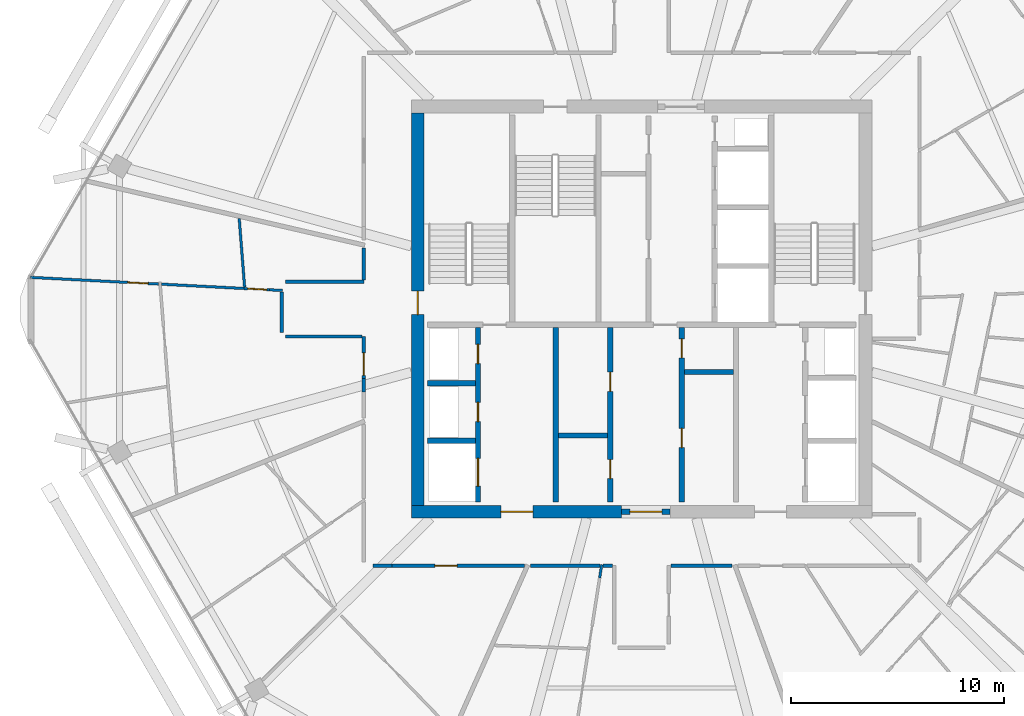
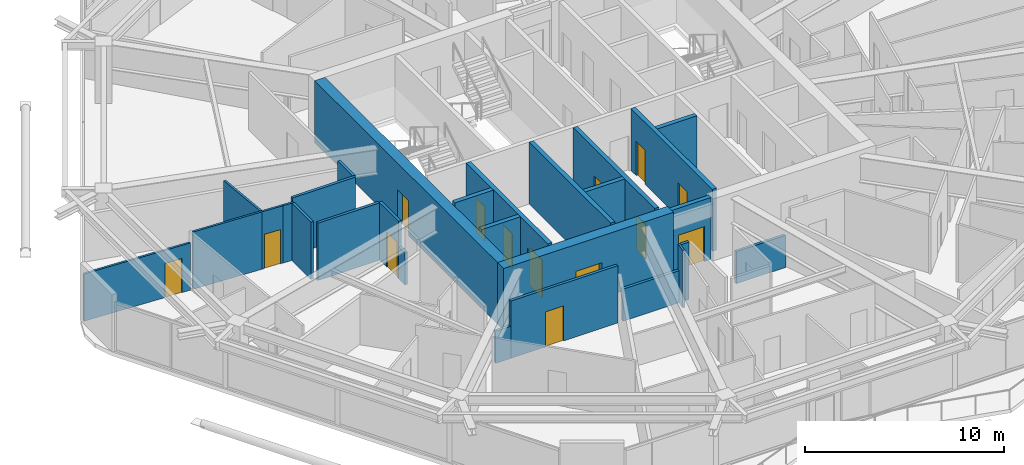
# One storey, part 20 of 26: 28 walls, 14 doors, 14 openings.
"""IFC4 building model written with IfcOpenShell, lengths in metres."""

from ifc_helpers import new_model, si_unit, direction, frame, frame_2d, origin, place, context, subcontext, project, spatial, rectangle, extrude, material, layer, layer_set, type_object, element, fill, save


model = new_model("IFC4")

# Units and contexts
model_context = context("Model", 3, precision=1e-05, world=origin(), true_north=direction((0.0, 1.0)))
body_context = subcontext(model_context, "Body", "Model", "MODEL_VIEW")
ifc_project = project(units=[si_unit("LENGTHUNIT", "METRE"), si_unit("AREAUNIT", "SQUARE_METRE"), si_unit("VOLUMEUNIT", "CUBIC_METRE"), si_unit("PLANEANGLEUNIT", "RADIAN"), si_unit("MASSUNIT", "GRAM", prefix="KILO")], contexts=[model_context])

# Site, building, storey
site_placement = place(None, origin())
site = spatial("IfcSite", under=ifc_project, at=site_placement, CompositionType="ELEMENT")
building_placement = place(site_placement, origin())
building = spatial("IfcBuilding", under=site, at=building_placement, Name="Zuhravey Tower", CompositionType="ELEMENT")
storey_placement = place(building_placement, frame((0.0, 0.0, 299.60009765625)))
storey = spatial("IfcBuildingStorey", under=building, at=storey_placement, Name="L76", CompositionType="ELEMENT", Elevation=299.60009765625)

# Wall, opening, door
ifc_material_1 = material(Name="Concrete C50/60", Category="concrete")
ifc_layer_1 = layer(ifc_material_1, 0.60009765625)
ifc_layer_set_1 = layer_set([ifc_layer_1], Name="Concrete C50/60")
wall_type_1 = type_object("IfcWallType", Name="Core Shear Wall 600", PredefinedType="SHEAR", material=ifc_layer_set_1)
wall_1_placement = place(storey_placement, frame((25.199951171875, 22.5, 0.0), z_axis=(0.0, 0.0, 1.0), x_axis=(1.0, 0.0, 0.0)))
wall_1 = element("IfcWall", 1, at=wall_1_placement, inside=storey, type_object=wall_type_1, Name="L76 South-West Core Shear Wall CW60", PredefinedType="SHEAR", context=body_context, shape_type="SweptSolid", body=[
    extrude(rectangle(XDim=9.85009765625, YDim=0.60009765625, at=frame_2d((4.925048828125, 0.0))), origin(), (0.0, 0.0, 1.0), 3.7998046875),
])
opening_1_placement = place(wall_1_placement, frame((4.199951171875, 0.0, 0.0)))
opening_1 = element("IfcOpeningElement", 2, at=opening_1_placement, cuts=wall_1, Name="Opening FFD1", PredefinedType="OPENING", context=body_context, shape_type="SweptSolid", body=[
    extrude(rectangle(XDim=1.5, YDim=2.14990234375, at=frame_2d((0.75, 1.074951171875))), frame((0.0, 0.31201171875, 0.0), z_axis=(0.0, -1.0, 0.0), x_axis=(1.0, 0.0, 0.0)), (0.0, 0.0, 1.0), 0.6240234375),
])
ifc_material_2 = material(Name="Galvanised fire-rated steel leaf", Category="steel")
door_type_1 = type_object("IfcDoorType", Name="Firefighting Lobby Double Door 1500x2150", OperationType="DOUBLE_DOOR_SINGLE_SWING", PredefinedType="DOOR", material=ifc_material_2)
door_1_placement = place(opening_1_placement, origin())
door_1 = element("IfcDoor", 3, at=door_1_placement, inside=storey, type_object=door_type_1, Name="L76 Firefighting Lobby West Door", OperationType="DOUBLE_DOOR_SINGLE_SWING", OverallHeight=2.14990234375, OverallWidth=1.5, PredefinedType="DOOR", context=body_context, shape_type="SweptSolid", body=[
    extrude(rectangle(XDim=1.5, YDim=2.14990234375, at=frame_2d((0.75, 1.074951171875))), frame((0.0, 0.02490234375, 0.0), z_axis=(0.0, -1.0, 0.0), x_axis=(1.0, 0.0, 0.0)), (0.0, 0.0, 1.0), 0.050048828125),
])
fill(opening_1, door_1)

wall_2_placement = place(storey_placement, frame((25.5, 22.800048828125, 0.0), z_axis=(0.0, 0.0, 1.0), x_axis=(0.0, 1.0, 0.0)))
wall_2 = element("IfcWall", 4, at=wall_2_placement, inside=storey, type_object=wall_type_1, Name="L76 West Core Shear Wall CW60", PredefinedType="SHEAR", context=body_context, shape_type="SweptSolid", body=[
    extrude(rectangle(XDim=18.39990234375, YDim=0.60009765625, at=frame_2d((9.199951171875, 0.0))), origin(), (0.0, 0.0, 1.0), 3.7998046875),
])
opening_2_placement = place(wall_2_placement, frame((8.949951171875, 0.0, 0.0)))
opening_2 = element("IfcOpeningElement", 5, at=opening_2_placement, cuts=wall_2, Name="Opening STD1", PredefinedType="OPENING", context=body_context, shape_type="SweptSolid", body=[
    extrude(rectangle(XDim=1.10009765625, YDim=2.14990234375, at=frame_2d((0.550048828125, 1.074951171875))), frame((0.0, 0.31201171875, 0.0), z_axis=(0.0, -1.0, 0.0), x_axis=(1.0, 0.0, 0.0)), (0.0, 0.0, 1.0), 0.6240234375),
])
door_type_2 = type_object("IfcDoorType", Name="Protected Stair Fire Door 1100x2150", OperationType="NOTDEFINED", PredefinedType="USERDEFINED", material=ifc_material_2)
door_2_placement = place(opening_2_placement, frame((1.10009765625, 0.0, 0.0), z_axis=(0.0, 0.0, 1.0), x_axis=(-1.0, 0.0, 0.0)))
door_2 = element("IfcDoor", 6, at=door_2_placement, inside=storey, type_object=door_type_2, Name="L76 Stair ST1 Door", ObjectType="EXITDOOR", OperationType="SINGLE_SWING_RIGHT", OverallHeight=2.14990234375, OverallWidth=1.10009765625, PredefinedType="USERDEFINED", context=body_context, shape_type="SweptSolid", body=[
    extrude(rectangle(XDim=1.10009765625, YDim=2.14990234375, at=frame_2d((0.550048828125, 1.074951171875))), frame((0.0, 0.02490234375, 0.0), z_axis=(0.0, -1.0, 0.0), x_axis=(1.0, 0.0, 0.0)), (0.0, 0.0, 1.0), 0.050048828125),
])
fill(opening_2, door_2)

ifc_material_3 = material(Name="Gypsum fire-rated stud partition")
ifc_layer_2 = layer(ifc_material_3, 0.159912109375)
ifc_layer_set_2 = layer_set([ifc_layer_2], Name="Gypsum fire-rated stud partition")
wall_type_2 = type_object("IfcWallType", Name="Corridor Fire Partition 160", PredefinedType="PARTITIONING", material=ifc_layer_set_2)
wall_3_placement = place(storey_placement, frame((24.284912109375, 19.969970703125, 0.0), z_axis=(0.0, 0.0, 1.0), x_axis=(1.0, 0.0, 0.0)))
wall_3 = element("IfcWall", 7, at=wall_3_placement, inside=storey, type_object=wall_type_2, Name="L76 IW16 Partition 026", PredefinedType="PARTITIONING", context=body_context, shape_type="SweptSolid", body=[
    extrude(rectangle(XDim=6.210693359375, YDim=0.159912109375, at=frame_2d((3.10546875, 0.0))), origin(), (0.0, 0.0, 1.0), 3.52001953125),
])
opening_3_placement = place(wall_3_placement, frame((2.012939453125, 0.0, 0.0)))
opening_3 = element("IfcOpeningElement", 8, at=opening_3_placement, cuts=wall_3, Name="Opening APD1", PredefinedType="OPENING", context=body_context, shape_type="SweptSolid", body=[
    extrude(rectangle(XDim=1.050048828125, YDim=2.14990234375, at=frame_2d((0.52490234375, 1.074951171875))), frame((0.0, 0.092041015625, 0.0), z_axis=(0.0, -1.0, 0.0), x_axis=(1.0, 0.0, 0.0)), (0.0, 0.0, 1.0), 0.183837890625),
])
ifc_material_4 = material(Name="Solid-core oak fire-rated leaf")
door_type_3 = type_object("IfcDoorType", Name="Apartment Entrance Fire Door 1050x2150", OperationType="NOTDEFINED", PredefinedType="DOOR", material=ifc_material_4)
door_3_placement = place(opening_3_placement, frame((1.050048828125, 0.0, 0.0), z_axis=(0.0, 0.0, 1.0), x_axis=(-1.0, 0.0, 0.0)))
door_3 = element("IfcDoor", 9, at=door_3_placement, inside=storey, type_object=door_type_3, Name="L76 Door 026.1", OperationType="SINGLE_SWING_RIGHT", OverallHeight=2.14990234375, OverallWidth=1.050048828125, PredefinedType="DOOR", context=body_context, shape_type="SweptSolid", body=[
    extrude(rectangle(XDim=1.050048828125, YDim=2.14990234375, at=frame_2d((0.52490234375, 1.074951171875))), frame((0.0, 0.02490234375, 0.0), z_axis=(0.0, -1.0, 0.0), x_axis=(1.0, 0.0, 0.0)), (0.0, 0.0, 1.0), 0.050048828125),
])
fill(opening_3, door_3)

wall_4_placement = place(storey_placement, frame((22.969970703125, 30.719970703125, 0.0), z_axis=(0.0, 0.0, 1.0), x_axis=(0.0, -1.0, 0.0)))
wall_4 = element("IfcWall", 10, at=wall_4_placement, inside=storey, type_object=wall_type_2, Name="L76 IW16 Partition 066", PredefinedType="PARTITIONING", context=body_context, shape_type="SweptSolid", body=[
    extrude(rectangle(XDim=1.96240234375, YDim=0.159912109375, at=frame_2d((0.981201171875, 0.0))), origin(), (0.0, 0.0, 1.0), 3.52001953125),
])
opening_4_placement = place(wall_4_placement, frame((0.7724609375, 0.0, 0.0)))
opening_4 = element("IfcOpeningElement", 11, at=opening_4_placement, cuts=wall_4, Name="Opening APD1", PredefinedType="OPENING", context=body_context, shape_type="SweptSolid", body=[
    extrude(rectangle(XDim=1.050048828125, YDim=2.14990234375, at=frame_2d((0.52490234375, 1.074951171875))), frame((0.0, 0.092041015625, 0.0), z_axis=(0.0, -1.0, 0.0), x_axis=(1.0, 0.0, 0.0)), (0.0, 0.0, 1.0), 0.183837890625),
])
door_4_placement = place(opening_4_placement, frame((1.050048828125, 0.0, 0.0), z_axis=(0.0, 0.0, 1.0), x_axis=(-1.0, 0.0, 0.0)))
door_4 = element("IfcDoor", 12, at=door_4_placement, inside=storey, type_object=door_type_3, Name="L76 Door 066.1", OperationType="SINGLE_SWING_RIGHT", OverallHeight=2.14990234375, OverallWidth=1.050048828125, PredefinedType="DOOR", context=body_context, shape_type="SweptSolid", body=[
    extrude(rectangle(XDim=1.050048828125, YDim=2.14990234375, at=frame_2d((0.52490234375, 1.074951171875))), frame((0.0, 0.02490234375, 0.0), z_axis=(0.0, -1.0, 0.0), x_axis=(1.0, 0.0, 0.0)), (0.0, 0.0, 1.0), 0.050048828125),
])
fill(opening_4, door_4)

# Walls
wall_5_placement = place(storey_placement, frame((23.400634765625, 19.969970703125, 0.0), z_axis=(0.0, 0.0, 1.0), x_axis=(1.0, 0.0, 0.0)))
element("IfcWall", 13, at=wall_5_placement, inside=storey, type_object=wall_type_2, Name="L76 IW16 Partition 075", PredefinedType="PARTITIONING", context=body_context, shape_type="SweptSolid", body=[
    extrude(rectangle(XDim=0.88427734375, YDim=0.159912109375, at=frame_2d((0.442138671875, 0.0))), origin(), (0.0, 0.0, 1.0), 1.969970703125),
])
wall_6_placement = place(storey_placement, frame((22.969970703125, 28.757568359375, 0.0), z_axis=(0.0, 0.0, 1.0), x_axis=(0.0, -1.0, 0.0)))
element("IfcWall", 14, at=wall_6_placement, inside=storey, type_object=wall_type_2, Name="L76 IW16 Partition 125", PredefinedType="PARTITIONING", context=body_context, shape_type="SweptSolid", body=[
    extrude(rectangle(XDim=0.64501953125, YDim=0.159912109375, at=frame_2d((0.322509765625, 0.0))), origin(), (0.0, 0.0, 1.0), 1.969970703125),
])
wall_7_placement = place(storey_placement, frame((37.367919921875, 19.969970703125, 0.0), z_axis=(0.0, 0.0, 1.0), x_axis=(1.0, 0.0, 0.0)))
element("IfcWall", 15, at=wall_7_placement, inside=storey, type_object=wall_type_2, Name="L76 IW16 Partition 130", PredefinedType="PARTITIONING", context=body_context, shape_type="SweptSolid", body=[
    extrude(rectangle(XDim=2.870849609375, YDim=0.159912109375, at=frame_2d((1.435546875, 0.0))), origin(), (0.0, 0.0, 1.0), 1.969970703125),
])
wall_8_placement = place(storey_placement, frame((34.189208984375, 19.969970703125, 0.0), z_axis=(0.0, 0.0, 1.0), x_axis=(1.0, 0.0, 0.0)))
element("IfcWall", 16, at=wall_8_placement, inside=storey, type_object=wall_type_2, Name="L76 IW16 Partition 132", PredefinedType="PARTITIONING", context=body_context, shape_type="SweptSolid", body=[
    extrude(rectangle(XDim=0.44287109375, YDim=0.159912109375, at=frame_2d((0.221435546875, 0.0))), origin(), (0.0, 0.0, 1.0), 3.52001953125),
])
wall_9_placement = place(storey_placement, frame((30.791015625, 19.969970703125, 0.0), z_axis=(0.0, 0.0, 1.0), x_axis=(1.0, 0.0, 0.0)))
element("IfcWall", 17, at=wall_9_placement, inside=storey, type_object=wall_type_2, Name="L76 IW16 Partition 133", PredefinedType="PARTITIONING", context=body_context, shape_type="SweptSolid", body=[
    extrude(rectangle(XDim=3.260498046875, YDim=0.159912109375, at=frame_2d((1.63037109375, 0.0))), origin(), (0.0, 0.0, 1.0), 1.969970703125),
])
wall_10_placement = place(storey_placement, frame((19.300048828125, 30.719970703125, 0.0), z_axis=(0.0, 0.0, 1.0), x_axis=(1.0, 0.0, 0.0)))
element("IfcWall", 18, at=wall_10_placement, inside=storey, type_object=wall_type_2, Name="L76 IW16 Partition 146", PredefinedType="PARTITIONING", context=body_context, shape_type="SweptSolid", body=[
    extrude(rectangle(XDim=3.58203125, YDim=0.159912109375, at=frame_2d((1.791015625, 0.0))), origin(), (0.0, 0.0, 1.0), 3.52001953125),
])
wall_11_placement = place(storey_placement, frame((19.1201171875, 32.810546875, 0.0), z_axis=(0.0, 0.0, 1.0), x_axis=(0.0, -1.0, 0.0)))
element("IfcWall", 19, at=wall_11_placement, inside=storey, type_object=wall_type_2, Name="L76 IW16 Partition 147", PredefinedType="PARTITIONING", context=body_context, shape_type="SweptSolid", body=[
    extrude(rectangle(XDim=1.91064453125, YDim=0.159912109375, at=frame_2d((0.955322265625, 0.0))), origin(), (0.0, 0.0, 1.0), 3.52001953125),
])
wall_12_placement = place(storey_placement, frame((22.969970703125, 33.280029296875, 0.0), z_axis=(0.0, 0.0, 1.0), x_axis=(-1.0, 0.0, 0.0)))
element("IfcWall", 20, at=wall_12_placement, inside=storey, type_object=wall_type_2, Name="L76 IW16 Partition 148", PredefinedType="PARTITIONING", context=body_context, shape_type="SweptSolid", body=[
    extrude(rectangle(XDim=3.669921875, YDim=0.159912109375, at=frame_2d((1.8349609375, 0.0))), origin(), (0.0, 0.0, 1.0), 3.52001953125),
])
wall_13_placement = place(storey_placement, frame((22.969970703125, 34.8681640625, 0.0), z_axis=(0.0, 0.0, 1.0), x_axis=(0.0, -1.0, 0.0)))
element("IfcWall", 21, at=wall_13_placement, inside=storey, type_object=wall_type_2, Name="L76 IW16 Partition 149", PredefinedType="PARTITIONING", context=body_context, shape_type="SweptSolid", body=[
    extrude(rectangle(XDim=1.500244140625, YDim=0.159912109375, at=frame_2d((0.75, 0.0))), origin(), (0.0, 0.0, 1.0), 3.52001953125),
])

# Wall, opening, door
ifc_layer_3 = layer(ifc_material_1, 0.25)
ifc_layer_set_3 = layer_set([ifc_layer_3], Name="Concrete C50/60")
wall_type_3 = type_object("IfcWallType", Name="Firefighting Shaft & Stair Wall 250", PredefinedType="SOLIDWALL", material=ifc_layer_set_3)
wall_14_placement = place(storey_placement, frame((35.06005859375, 22.5, 0.0), z_axis=(0.0, 0.0, 1.0), x_axis=(1.0, 0.0, 0.0)))
wall_14 = element("IfcWall", 22, at=wall_14_placement, inside=storey, type_object=wall_type_3, Name="L76 FW25 Shaft Wall 001", PredefinedType="SOLIDWALL", context=body_context, shape_type="SweptSolid", body=[
    extrude(rectangle(XDim=2.280029296875, YDim=0.25, at=frame_2d((1.14013671875, 0.0))), origin(), (0.0, 0.0, 1.0), 3.7998046875),
])
opening_5_placement = place(wall_14_placement, frame((0.389892578125, 0.0, 0.0)))
opening_5 = element("IfcOpeningElement", 23, at=opening_5_placement, cuts=wall_14, Name="Opening FFD1", PredefinedType="OPENING", context=body_context, shape_type="SweptSolid", body=[
    extrude(rectangle(XDim=1.5, YDim=2.14990234375, at=frame_2d((0.75, 1.074951171875))), frame((0.0, 0.136962890625, 0.0), z_axis=(0.0, -1.0, 0.0), x_axis=(1.0, 0.0, 0.0)), (0.0, 0.0, 1.0), 0.27392578125),
])
door_5_placement = place(opening_5_placement, frame((1.5, 0.0, 0.0), z_axis=(0.0, 0.0, 1.0), x_axis=(-1.0, 0.0, 0.0)))
door_5 = element("IfcDoor", 24, at=door_5_placement, inside=storey, type_object=door_type_1, Name="L76 South Lift Lobby Exit Door", OperationType="DOUBLE_DOOR_SINGLE_SWING", OverallHeight=2.14990234375, OverallWidth=1.5, PredefinedType="DOOR", context=body_context, shape_type="SweptSolid", body=[
    extrude(rectangle(XDim=1.5, YDim=2.14990234375, at=frame_2d((0.75, 1.074951171875))), frame((0.0, 0.02490234375, 0.0), z_axis=(0.0, -1.0, 0.0), x_axis=(1.0, 0.0, 0.0)), (0.0, 0.0, 1.0), 0.050048828125),
])
fill(opening_5, door_5)

# Walls
for number, where, z_axis, x_axis, name in (
    (25, (25.949951171875, 25.824951171875, 0.0), (0.0, 0.0, 1.0), (1.0, 0.0, 0.0), "L76 FW25 Shaft Wall 009"),
    (26, (25.949951171875, 28.52490234375, 0.0), (0.0, 0.0, 1.0), (1.0, 0.0, 0.0), "L76 FW25 Shaft Wall 010"),
):
    element("IfcWall", number, at=place(storey_placement, frame(where, z_axis=z_axis, x_axis=x_axis)), inside=storey, type_object=wall_type_3, Name=name, PredefinedType="SOLIDWALL", context=body_context, shape_type="SweptSolid", body=[
        extrude(rectangle(XDim=2.25, YDim=0.25, at=frame_2d((1.125, 0.0))), origin(), (0.0, 0.0, 1.0), 3.7998046875),
    ])

# Wall, openings, doors
wall_15_placement = place(storey_placement, frame((28.324951171875, 22.949951171875, 0.0), z_axis=(0.0, 0.0, 1.0), x_axis=(0.0, 1.0, 0.0)))
wall_15 = element("IfcWall", 27, at=wall_15_placement, inside=storey, type_object=wall_type_3, Name="L76 FW25 Shaft Wall 011", PredefinedType="SOLIDWALL", context=body_context, shape_type="SweptSolid", body=[
    extrude(rectangle(XDim=8.199951171875, YDim=0.25, at=frame_2d((4.10009765625, 0.0))), origin(), (0.0, 0.0, 1.0), 3.7998046875),
])
opening_6_placement = place(wall_15_placement, frame((0.75, 0.0, 0.0)))
opening_6 = element("IfcOpeningElement", 28, at=opening_6_placement, cuts=wall_15, Name="Opening LD2", PredefinedType="OPENING", context=body_context, shape_type="SweptSolid", body=[
    extrude(rectangle(XDim=1.300048828125, YDim=2.300048828125, at=frame_2d((0.64990234375, 1.14990234375))), frame((0.0, 0.136962890625, 0.0), z_axis=(0.0, -1.0, 0.0), x_axis=(1.0, 0.0, 0.0)), (0.0, 0.0, 1.0), 0.27392578125),
])
opening_7_placement = place(wall_15_placement, frame((3.780029296875, 0.0, 0.0)))
opening_7 = element("IfcOpeningElement", 29, at=opening_7_placement, cuts=wall_15, Name="Opening RSD1", PredefinedType="OPENING", context=body_context, shape_type="SweptSolid", body=[
    extrude(rectangle(XDim=0.89990234375, YDim=2.10009765625, at=frame_2d((0.449951171875, 1.050048828125))), frame((0.0, 0.136962890625, 0.0), z_axis=(0.0, -1.0, 0.0), x_axis=(1.0, 0.0, 0.0)), (0.0, 0.0, 1.0), 0.27392578125),
])
opening_8_placement = place(wall_15_placement, frame((6.5, 0.0, 0.0)))
opening_8 = element("IfcOpeningElement", 30, at=opening_8_placement, cuts=wall_15, Name="Opening RSD1", PredefinedType="OPENING", context=body_context, shape_type="SweptSolid", body=[
    extrude(rectangle(XDim=0.89990234375, YDim=2.10009765625, at=frame_2d((0.449951171875, 1.050048828125))), frame((0.0, 0.136962890625, 0.0), z_axis=(0.0, -1.0, 0.0), x_axis=(1.0, 0.0, 0.0)), (0.0, 0.0, 1.0), 0.27392578125),
])
ifc_material_5 = material(Name="Brushed stainless steel", Category="steel")
door_type_4 = type_object("IfcDoorType", Name="Freight & Stretcher Lift Sliding Door 1300x2300", OperationType="DOUBLE_DOOR_SLIDING", PredefinedType="DOOR", material=ifc_material_5)
door_6_placement = place(opening_6_placement, frame((1.300048828125, 0.0, 0.0), z_axis=(0.0, 0.0, 1.0), x_axis=(-1.0, 0.0, 0.0)))
door_6 = element("IfcDoor", 31, at=door_6_placement, inside=storey, type_object=door_type_4, Name="L76 Lift FF1 Landing Door", OperationType="DOUBLE_DOOR_SLIDING", OverallHeight=2.300048828125, OverallWidth=1.300048828125, PredefinedType="DOOR", context=body_context, shape_type="SweptSolid", body=[
    extrude(rectangle(XDim=1.300048828125, YDim=2.300048828125, at=frame_2d((0.64990234375, 1.14990234375))), frame((0.0, 0.02490234375, 0.0), z_axis=(0.0, -1.0, 0.0), x_axis=(1.0, 0.0, 0.0)), (0.0, 0.0, 1.0), 0.050048828125),
])
fill(opening_6, door_6)
ifc_material_6 = material(Name="Galvanised fire-rated steel access leaf", Category="steel")
door_type_5 = type_object("IfcDoorType", Name="Riser & Shaft Access Fire Door 900x2100", OperationType="NOTDEFINED", PredefinedType="DOOR", material=ifc_material_6)
door_7_placement = place(opening_7_placement, frame((0.89990234375, 0.0, 0.0), z_axis=(0.0, 0.0, 1.0), x_axis=(-1.0, 0.0, 0.0)))
door_7 = element("IfcDoor", 32, at=door_7_placement, inside=storey, type_object=door_type_5, Name="L76 Electrical Riser Door", OperationType="SINGLE_SWING_LEFT", OverallHeight=2.10009765625, OverallWidth=0.89990234375, PredefinedType="DOOR", context=body_context, shape_type="SweptSolid", body=[
    extrude(rectangle(XDim=0.89990234375, YDim=2.10009765625, at=frame_2d((0.449951171875, 1.050048828125))), frame((0.0, 0.02490234375, 0.0), z_axis=(0.0, -1.0, 0.0), x_axis=(1.0, 0.0, 0.0)), (0.0, 0.0, 1.0), 0.050048828125),
])
fill(opening_7, door_7)
door_8_placement = place(opening_8_placement, frame((0.89990234375, 0.0, 0.0), z_axis=(0.0, 0.0, 1.0), x_axis=(-1.0, 0.0, 0.0)))
door_8 = element("IfcDoor", 33, at=door_8_placement, inside=storey, type_object=door_type_5, Name="L76 Smoke Shaft Access Door", OperationType="SINGLE_SWING_RIGHT", OverallHeight=2.10009765625, OverallWidth=0.89990234375, PredefinedType="DOOR", context=body_context, shape_type="SweptSolid", body=[
    extrude(rectangle(XDim=0.89990234375, YDim=2.10009765625, at=frame_2d((0.449951171875, 1.050048828125))), frame((0.0, 0.02490234375, 0.0), z_axis=(0.0, -1.0, 0.0), x_axis=(1.0, 0.0, 0.0)), (0.0, 0.0, 1.0), 0.050048828125),
])
fill(opening_8, door_8)

# Walls
wall_16_placement = place(storey_placement, frame((31.97509765625, 22.949951171875, 0.0), z_axis=(0.0, 0.0, 1.0), x_axis=(0.0, 1.0, 0.0)))
element("IfcWall", 34, at=wall_16_placement, inside=storey, type_object=wall_type_3, Name="L76 FW25 Shaft Wall 012", PredefinedType="SOLIDWALL", context=body_context, shape_type="SweptSolid", body=[
    extrude(rectangle(XDim=8.199951171875, YDim=0.25, at=frame_2d((4.10009765625, 0.0))), origin(), (0.0, 0.0, 1.0), 3.7998046875),
])
wall_17_placement = place(storey_placement, frame((32.10009765625, 26.074951171875, 0.0), z_axis=(0.0, 0.0, 1.0), x_axis=(1.0, 0.0, 0.0)))
element("IfcWall", 35, at=wall_17_placement, inside=storey, type_object=wall_type_3, Name="L76 FW25 Shaft Wall 013", PredefinedType="SOLIDWALL", context=body_context, shape_type="SweptSolid", body=[
    extrude(rectangle(XDim=2.2998046875, YDim=0.25, at=frame_2d((1.14990234375, 0.0))), origin(), (0.0, 0.0, 1.0), 3.7998046875),
])

# Wall, openings, doors
wall_18_placement = place(storey_placement, frame((34.52490234375, 22.949951171875, 0.0), z_axis=(0.0, 0.0, 1.0), x_axis=(0.0, 1.0, 0.0)))
wall_18 = element("IfcWall", 36, at=wall_18_placement, inside=storey, type_object=wall_type_3, Name="L76 FW25 Shaft Wall 014", PredefinedType="SOLIDWALL", context=body_context, shape_type="SweptSolid", body=[
    extrude(rectangle(XDim=8.199951171875, YDim=0.25, at=frame_2d((4.10009765625, 0.0))), origin(), (0.0, 0.0, 1.0), 3.7998046875),
])
opening_9_placement = place(wall_18_placement, frame((1.10009765625, 0.0, 0.0)))
opening_9 = element("IfcOpeningElement", 37, at=opening_9_placement, cuts=wall_18, Name="Opening RSD1", PredefinedType="OPENING", context=body_context, shape_type="SweptSolid", body=[
    extrude(rectangle(XDim=0.89990234375, YDim=2.10009765625, at=frame_2d((0.449951171875, 1.050048828125))), frame((0.0, 0.136962890625, 0.0), z_axis=(0.0, -1.0, 0.0), x_axis=(1.0, 0.0, 0.0)), (0.0, 0.0, 1.0), 0.27392578125),
])
opening_10_placement = place(wall_18_placement, frame((5.199951171875, 0.0, 0.0)))
opening_10 = element("IfcOpeningElement", 38, at=opening_10_placement, cuts=wall_18, Name="Opening RSD1", PredefinedType="OPENING", context=body_context, shape_type="SweptSolid", body=[
    extrude(rectangle(XDim=0.89990234375, YDim=2.10009765625, at=frame_2d((0.449951171875, 1.050048828125))), frame((0.0, 0.136962890625, 0.0), z_axis=(0.0, -1.0, 0.0), x_axis=(1.0, 0.0, 0.0)), (0.0, 0.0, 1.0), 0.27392578125),
])
door_9_placement = place(opening_9_placement, origin())
door_9 = element("IfcDoor", 39, at=door_9_placement, inside=storey, type_object=door_type_5, Name="L76 Metering Room Door", OperationType="SINGLE_SWING_LEFT", OverallHeight=2.10009765625, OverallWidth=0.89990234375, PredefinedType="DOOR", context=body_context, shape_type="SweptSolid", body=[
    extrude(rectangle(XDim=0.89990234375, YDim=2.10009765625, at=frame_2d((0.449951171875, 1.050048828125))), frame((0.0, 0.02490234375, 0.0), z_axis=(0.0, -1.0, 0.0), x_axis=(1.0, 0.0, 0.0)), (0.0, 0.0, 1.0), 0.050048828125),
])
fill(opening_9, door_9)
door_10_placement = place(opening_10_placement, origin())
door_10 = element("IfcDoor", 40, at=door_10_placement, inside=storey, type_object=door_type_5, Name="L76 Housekeeping Supply Door", OperationType="SINGLE_SWING_RIGHT", OverallHeight=2.10009765625, OverallWidth=0.89990234375, PredefinedType="DOOR", context=body_context, shape_type="SweptSolid", body=[
    extrude(rectangle(XDim=0.89990234375, YDim=2.10009765625, at=frame_2d((0.449951171875, 1.050048828125))), frame((0.0, 0.02490234375, 0.0), z_axis=(0.0, -1.0, 0.0), x_axis=(1.0, 0.0, 0.0)), (0.0, 0.0, 1.0), 0.050048828125),
])
fill(opening_10, door_10)

# Wall
wall_19_placement = place(storey_placement, frame((38.0, 29.050048828125, 0.0), z_axis=(0.0, 0.0, 1.0), x_axis=(1.0, 0.0, 0.0)))
element("IfcWall", 41, at=wall_19_placement, inside=storey, type_object=wall_type_3, Name="L76 FW25 Shaft Wall 015", PredefinedType="SOLIDWALL", context=body_context, shape_type="SweptSolid", body=[
    extrude(rectangle(XDim=2.300048828125, YDim=0.25, at=frame_2d((1.14990234375, 0.0))), origin(), (0.0, 0.0, 1.0), 3.7998046875),
])

# Wall, openings, doors
wall_20_placement = place(storey_placement, frame((37.875, 22.949951171875, 0.0), z_axis=(0.0, 0.0, 1.0), x_axis=(0.0, 1.0, 0.0)))
wall_20 = element("IfcWall", 42, at=wall_20_placement, inside=storey, type_object=wall_type_3, Name="L76 FW25 Shaft Wall 016", PredefinedType="SOLIDWALL", context=body_context, shape_type="SweptSolid", body=[
    extrude(rectangle(XDim=8.199951171875, YDim=0.25, at=frame_2d((4.10009765625, 0.0))), origin(), (0.0, 0.0, 1.0), 3.7998046875),
])
opening_11_placement = place(wall_20_placement, frame((2.5625, 0.0, 0.0)))
opening_11 = element("IfcOpeningElement", 43, at=opening_11_placement, cuts=wall_20, Name="Opening RSD1", PredefinedType="OPENING", context=body_context, shape_type="SweptSolid", body=[
    extrude(rectangle(XDim=0.89990234375, YDim=2.10009765625, at=frame_2d((0.449951171875, 1.050048828125))), frame((0.0, 0.136962890625, 0.0), z_axis=(0.0, -1.0, 0.0), x_axis=(1.0, 0.0, 0.0)), (0.0, 0.0, 1.0), 0.27392578125),
])
opening_12_placement = place(wall_20_placement, frame((6.762451171875, 0.0, 0.0)))
opening_12 = element("IfcOpeningElement", 44, at=opening_12_placement, cuts=wall_20, Name="Opening RSD1", PredefinedType="OPENING", context=body_context, shape_type="SweptSolid", body=[
    extrude(rectangle(XDim=0.89990234375, YDim=2.10009765625, at=frame_2d((0.449951171875, 1.050048828125))), frame((0.0, 0.136962890625, 0.0), z_axis=(0.0, -1.0, 0.0), x_axis=(1.0, 0.0, 0.0)), (0.0, 0.0, 1.0), 0.27392578125),
])
door_11_placement = place(opening_11_placement, frame((0.89990234375, 0.0, 0.0), z_axis=(0.0, 0.0, 1.0), x_axis=(-1.0, 0.0, 0.0)))
door_11 = element("IfcDoor", 45, at=door_11_placement, inside=storey, type_object=door_type_5, Name="L76 Trunk Store Door", OperationType="SINGLE_SWING_LEFT", OverallHeight=2.10009765625, OverallWidth=0.89990234375, PredefinedType="DOOR", context=body_context, shape_type="SweptSolid", body=[
    extrude(rectangle(XDim=0.89990234375, YDim=2.10009765625, at=frame_2d((0.449951171875, 1.050048828125))), frame((0.0, 0.02490234375, 0.0), z_axis=(0.0, -1.0, 0.0), x_axis=(1.0, 0.0, 0.0)), (0.0, 0.0, 1.0), 0.050048828125),
])
fill(opening_11, door_11)
door_12_placement = place(opening_12_placement, frame((0.89990234375, 0.0, 0.0), z_axis=(0.0, 0.0, 1.0), x_axis=(-1.0, 0.0, 0.0)))
door_12 = element("IfcDoor", 46, at=door_12_placement, inside=storey, type_object=door_type_5, Name="L76 Fiber Room Door", OperationType="SINGLE_SWING_RIGHT", OverallHeight=2.10009765625, OverallWidth=0.89990234375, PredefinedType="DOOR", context=body_context, shape_type="SweptSolid", body=[
    extrude(rectangle(XDim=0.89990234375, YDim=2.10009765625, at=frame_2d((0.449951171875, 1.050048828125))), frame((0.0, 0.02490234375, 0.0), z_axis=(0.0, -1.0, 0.0), x_axis=(1.0, 0.0, 0.0)), (0.0, 0.0, 1.0), 0.050048828125),
])
fill(opening_12, door_12)

# Wall, opening, door
ifc_material_7 = material(Name="Gypsum metal-stud partition")
ifc_layer_4 = layer(ifc_material_7, 0.1201171875)
ifc_layer_set_4 = layer_set([ifc_layer_4], Name="Gypsum metal-stud partition")
wall_type_4 = type_object("IfcWallType", Name="Unit Internal Partition 120", PredefinedType="PARTITIONING", material=ifc_layer_set_4)
wall_21_placement = place(storey_placement, frame((18.550048828125, 32.908447265625, 0.0), z_axis=(0.0, 0.0, 1.0), x_axis=(-0.998654389981, 0.051859515736, 0.0)))
wall_21 = element("IfcWall", 47, at=wall_21_placement, inside=storey, type_object=wall_type_4, Name="L76 IW12 Partition 063", PredefinedType="PARTITIONING", context=body_context, shape_type="SweptSolid", body=[
    extrude(rectangle(XDim=1.191162109375, YDim=0.1201171875, at=frame_2d((0.595703125, 0.0))), origin(), (0.0, 0.0, 1.0), 3.52001953125),
])
opening_13_placement = place(wall_21_placement, frame((0.131103515625, 0.0, 0.0)))
opening_13 = element("IfcOpeningElement", 48, at=opening_13_placement, cuts=wall_21, Name="Opening WCD1", PredefinedType="OPENING", context=body_context, shape_type="SweptSolid", body=[
    extrude(rectangle(XDim=0.89990234375, YDim=2.10009765625, at=frame_2d((0.449951171875, 1.050048828125))), frame((0.0, 0.072021484375, 0.0), z_axis=(0.0, -1.0, 0.0), x_axis=(1.0, 0.0, 0.0)), (0.0, 0.0, 1.0), 0.14404296875),
])
ifc_material_8 = material(Name="Moisture-resistant timber leaf", Category="wood")
door_type_6 = type_object("IfcDoorType", Name="Bathroom & WC Internal Door 900x2100", OperationType="NOTDEFINED", PredefinedType="DOOR", material=ifc_material_8)
door_13_placement = place(opening_13_placement, frame((0.89990234375, 0.0, 0.0), z_axis=(0.0, 0.0, 1.0), x_axis=(-1.0, 0.0, 0.0)))
door_13 = element("IfcDoor", 49, at=door_13_placement, inside=storey, type_object=door_type_6, Name="Apartment L76-09 Bathroom Door", OperationType="SINGLE_SWING_RIGHT", OverallHeight=2.10009765625, OverallWidth=0.89990234375, PredefinedType="DOOR", context=body_context, shape_type="SweptSolid", body=[
    extrude(rectangle(XDim=0.89990234375, YDim=2.10009765625, at=frame_2d((0.449951171875, 1.050048828125))), frame((0.0, 0.02490234375, 0.0), z_axis=(0.0, -1.0, 0.0), x_axis=(1.0, 0.0, 0.0)), (0.0, 0.0, 1.0), 0.050048828125),
])
fill(opening_13, door_13)

# Wall
wall_22_placement = place(storey_placement, frame((17.360595703125, 32.97021484375, 0.0), z_axis=(0.0, 0.0, 1.0), x_axis=(-0.99864481564, 0.05204356056, 0.0)))
element("IfcWall", 50, at=wall_22_placement, inside=storey, type_object=wall_type_4, Name="L76 IW12 Partition 064", PredefinedType="PARTITIONING", context=body_context, shape_type="SweptSolid", body=[
    extrude(rectangle(XDim=3.879638671875, YDim=0.1201171875, at=frame_2d((1.93994140625, 0.0))), origin(), (0.0, 0.0, 1.0), 3.52001953125),
])

# Wall, opening, door
wall_23_placement = place(storey_placement, frame((13.349365234375, 33.17919921875, 0.0), z_axis=(0.0, 0.0, 1.0), x_axis=(-0.998648369581, 0.051975320417, 0.0)))
wall_23 = element("IfcWall", 51, at=wall_23_placement, inside=storey, type_object=wall_type_4, Name="L76 IW12 Partition 065", PredefinedType="PARTITIONING", context=body_context, shape_type="SweptSolid", body=[
    extrude(rectangle(XDim=6.01708984375, YDim=0.1201171875, at=frame_2d((3.008544921875, 0.0))), origin(), (0.0, 0.0, 1.0), 2.89990234375),
])
opening_14_placement = place(wall_23_placement, frame((0.5, 0.0, 0.0)))
opening_14 = element("IfcOpeningElement", 52, at=opening_14_placement, cuts=wall_23, Name="Opening IND1", PredefinedType="OPENING", context=body_context, shape_type="SweptSolid", body=[
    extrude(rectangle(XDim=0.949951171875, YDim=2.10009765625, at=frame_2d((0.47509765625, 1.050048828125))), frame((0.0, 0.072021484375, 0.0), z_axis=(0.0, -1.0, 0.0), x_axis=(1.0, 0.0, 0.0)), (0.0, 0.0, 1.0), 0.14404296875),
])
ifc_material_9 = material(Name="Painted engineered timber leaf", Category="wood")
door_type_7 = type_object("IfcDoorType", Name="Internal Room & Bedroom Door 950x2100", OperationType="NOTDEFINED", PredefinedType="DOOR", material=ifc_material_9)
door_14_placement = place(opening_14_placement, frame((0.949951171875, 0.0, 0.0), z_axis=(0.0, 0.0, 1.0), x_axis=(-1.0, 0.0, 0.0)))
door_14 = element("IfcDoor", 53, at=door_14_placement, inside=storey, type_object=door_type_7, Name="Apartment L76-09 Bedroom 1 Door", OperationType="SINGLE_SWING_LEFT", OverallHeight=2.10009765625, OverallWidth=0.949951171875, PredefinedType="DOOR", context=body_context, shape_type="SweptSolid", body=[
    extrude(rectangle(XDim=0.949951171875, YDim=2.10009765625, at=frame_2d((0.47509765625, 1.050048828125))), frame((0.0, 0.02490234375, 0.0), z_axis=(0.0, -1.0, 0.0), x_axis=(1.0, 0.0, 0.0)), (0.0, 0.0, 1.0), 0.050048828125),
])
fill(opening_14, door_14)

# Walls
wall_24_placement = place(storey_placement, frame((34.12744140625, 20.0146484375, 0.0), z_axis=(0.0, 0.0, 1.0), x_axis=(-0.154209298689, -0.988038203815, 0.0)))
element("IfcWall", 54, at=wall_24_placement, inside=storey, type_object=wall_type_4, Name="L76 IW12 Partition 080", PredefinedType="PARTITIONING", context=body_context, shape_type="SweptSolid", body=[
    extrude(rectangle(XDim=0.6220703125, YDim=0.1201171875, at=frame_2d((0.31103515625, 0.0))), origin(), (0.0, 0.0, 1.0), 3.52001953125),
])
wall_25_placement = place(storey_placement, frame((19.1650390625, 32.87646484375, 0.0), z_axis=(0.0, 0.0, 1.0), x_axis=(-0.998650488965, 0.051934582793, 0.0)))
element("IfcWall", 55, at=wall_25_placement, inside=storey, type_object=wall_type_4, Name="L76 IW12 Partition 123", PredefinedType="PARTITIONING", context=body_context, shape_type="SweptSolid", body=[
    extrude(rectangle(XDim=0.61572265625, YDim=0.1201171875, at=frame_2d((0.307861328125, 0.0))), origin(), (0.0, 0.0, 1.0), 3.52001953125),
])
wall_26_placement = place(storey_placement, frame((17.1279296875, 36.24609375, 0.0), z_axis=(0.0, 0.0, 1.0), x_axis=(0.078430710839, -0.996919567266, 0.0)))
element("IfcWall", 56, at=wall_26_placement, inside=storey, type_object=wall_type_4, Name="L76 IW12 Partition 124", PredefinedType="PARTITIONING", context=body_context, shape_type="SweptSolid", body=[
    extrude(rectangle(XDim=3.21875, YDim=0.1201171875, at=frame_2d((1.609375, 0.0))), origin(), (0.0, 0.0, 1.0), 3.52001953125),
])

save(model, "model.ifc")
